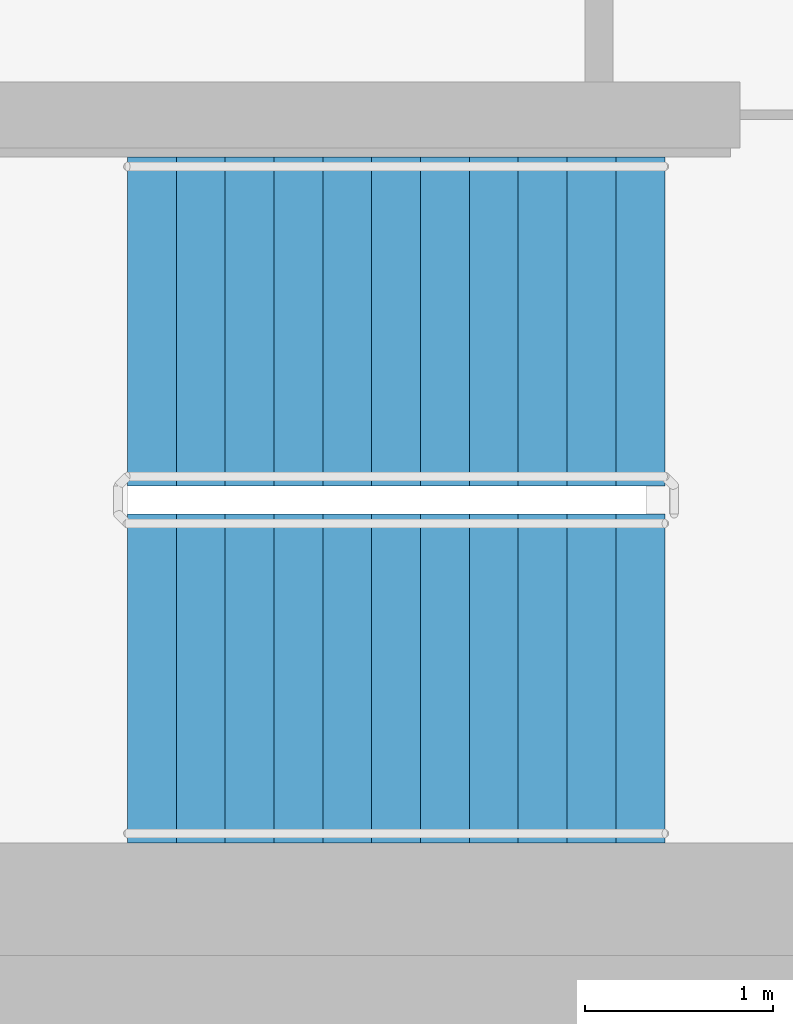
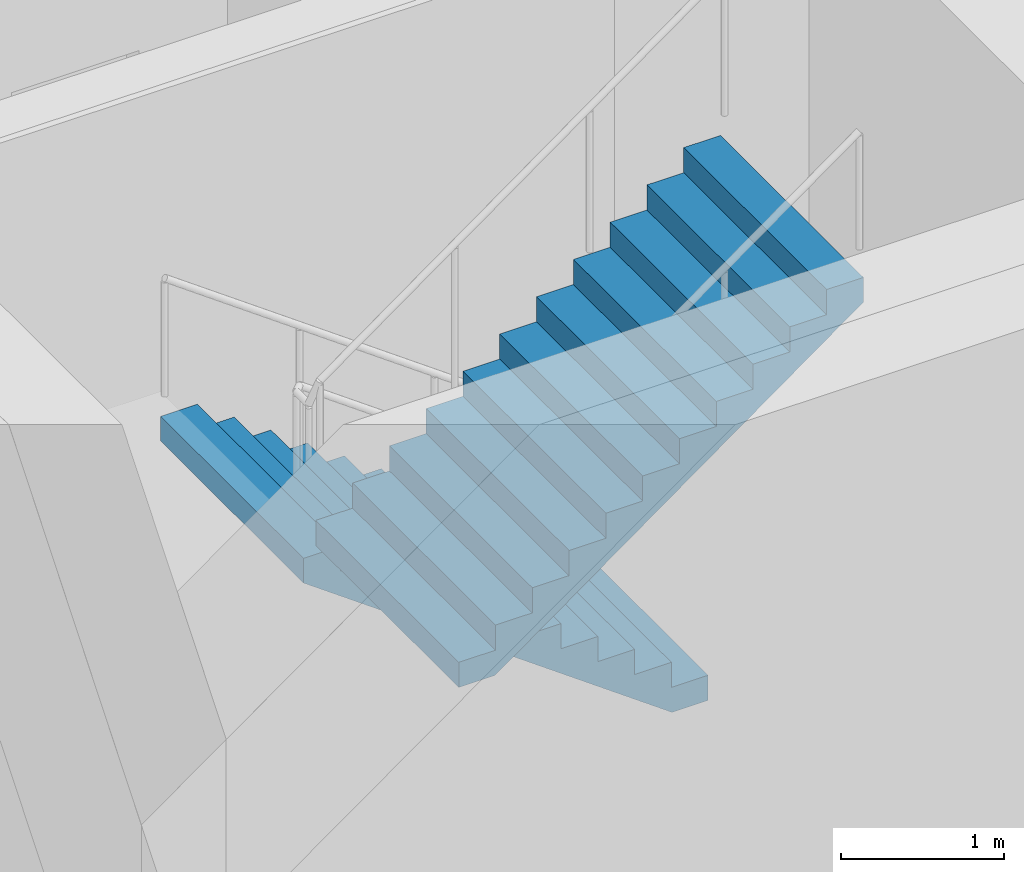
# One storey, part 7 of 11: 2 stair flights, 1 element without a shape of its own.
"""IFC4 building model written with IfcOpenShell, lengths in metres."""

from ifc_helpers import new_model, si_unit, direction, frame, origin, place, context, subcontext, project, spatial, faceted_brep, material, type_object, element, aggregate, save


model = new_model("IFC4")

# Units and contexts
model_context = context("Model", 3, precision=1e-05, world=origin(), true_north=direction((0.0, 1.0)))
body_context = subcontext(model_context, "Body", "Model", "MODEL_VIEW")
ifc_project = project(units=[si_unit("LENGTHUNIT", "METRE"), si_unit("AREAUNIT", "SQUARE_METRE"), si_unit("VOLUMEUNIT", "CUBIC_METRE"), si_unit("PLANEANGLEUNIT", "RADIAN"), si_unit("MASSUNIT", "GRAM", prefix="KILO")], contexts=[model_context])

# Site, building, storey
site_placement = place(None, origin())
site = spatial("IfcSite", under=ifc_project, at=site_placement, CompositionType="ELEMENT")
building_placement = place(site_placement, origin())
building = spatial("IfcBuilding", under=site, at=building_placement, Name="Ipe Terrace Towers", CompositionType="ELEMENT")
storey_placement = place(building_placement, frame((0.0, 0.0, 251.39990234375)))
storey = spatial("IfcBuildingStorey", under=building, at=storey_placement, Name="L69", CompositionType="ELEMENT", Elevation=251.39990234375)

# Stair, stair flights
ifc_material_1 = material(Name="Concrete C30/37", Category="concrete")
stair_type = type_object("IfcStairType", Name="Protected exit stair", PredefinedType="HALF_TURN_STAIR", material=ifc_material_1)
stair_placement = place(storey_placement, origin())
stair = element("IfcStair", 1, at=stair_placement, inside=storey, type_object=stair_type, Name="L69 Exit stair T1-C2", PredefinedType="HALF_TURN_STAIR")
ifc_material_2 = material(Name="Concrete C30/37", Category="concrete")
stair_flight_type = type_object("IfcStairFlightType", Name="Exit stair flight 1750", PredefinedType="STRAIGHT", material=ifc_material_2)
stair_flight_1_placement = place(storey_placement, frame((-45.699951171875, -2.77490234375, 0.0), z_axis=(0.0, 0.0, 1.0), x_axis=(-1.0, 0.0, 0.0)))
stair_flight_1 = element("IfcStairFlight", 2, at=stair_flight_1_placement, type_object=stair_flight_type, Name="T1-ST2 flight 1", NumberOfRisers=12, NumberOfTreads=11, PredefinedType="STRAIGHT", RiserHeight=0.1875, TreadLength=0.26, context=body_context, shape_type="Brep", body=[
    faceted_brep([(0.25634765625, -0.875, 0.0), (2.860107421875, -0.875, 1.877685546875), (2.860107421875, -0.875, 2.0625), (2.60009765625, -0.875, 2.0625), (2.60009765625, -0.875, 1.875), (2.340087890625, -0.875, 1.875), (2.340087890625, -0.875, 1.6875), (2.080078125, -0.875, 1.6875), (2.080078125, -0.875, 1.5), (1.820068359375, -0.875, 1.5), (1.820068359375, -0.875, 1.3125), (1.56005859375, -0.875, 1.3125), (1.56005859375, -0.875, 1.125), (1.300048828125, -0.875, 1.125), (1.300048828125, -0.875, 0.9375), (1.0400390625, -0.875, 0.9375), (1.0400390625, -0.875, 0.75), (0.780029296875, -0.875, 0.75), (0.780029296875, -0.875, 0.5625), (0.52001953125, -0.875, 0.5625), (0.52001953125, -0.875, 0.375), (0.260009765625, -0.875, 0.375), (0.260009765625, -0.875, 0.1875), (0.0, -0.875, 0.1875), (0.0, -0.875, 0.0), (0.0, 0.875, 0.0), (0.0, 0.875, 0.1875), (0.260009765625, 0.875, 0.1875), (0.260009765625, 0.875, 0.375), (0.52001953125, 0.875, 0.375), (0.52001953125, 0.875, 0.5625), (0.780029296875, 0.875, 0.5625), (0.780029296875, 0.875, 0.75), (1.0400390625, 0.875, 0.75), (1.0400390625, 0.875, 0.9375), (1.300048828125, 0.875, 0.9375), (1.300048828125, 0.875, 1.125), (1.56005859375, 0.875, 1.125), (1.56005859375, 0.875, 1.3125), (1.820068359375, 0.875, 1.3125), (1.820068359375, 0.875, 1.5), (2.080078125, 0.875, 1.5), (2.080078125, 0.875, 1.6875), (2.340087890625, 0.875, 1.6875), (2.340087890625, 0.875, 1.875), (2.60009765625, 0.875, 1.875), (2.60009765625, 0.875, 2.0625), (2.860107421875, 0.875, 2.0625), (2.860107421875, 0.875, 1.877685546875), (0.25634765625, 0.875, 0.0), (0.0, -0.300048828125, 0.1875), (0.0, -0.1201171875, 0.1875), (0.0, -0.06005859375, 0.1875), (0.0, -0.030029296875, 0.1875), (0.0, -0.010009765625, 0.1875), (0.0, 0.0, 0.1875), (0.0, 0.010009765625, 0.1875), (0.0, 0.030029296875, 0.1875), (0.0, 0.06005859375, 0.1875), (0.0, 0.1201171875, 0.1875), (0.0, 0.300048828125, 0.1875), (0.0, 0.300048828125, 0.0), (0.0, 0.1201171875, 0.0), (0.0, 0.06005859375, 0.0), (0.0, 0.030029296875, 0.0), (0.0, 0.010009765625, 0.0), (0.0, 0.0, 0.0), (0.0, -0.010009765625, 0.0), (0.0, -0.030029296875, 0.0), (0.0, -0.06005859375, 0.0), (0.0, -0.1201171875, 0.0), (0.0, -0.300048828125, 0.0), (0.260009765625, -0.300048828125, 0.1875), (0.260009765625, -0.1201171875, 0.1875), (0.260009765625, -0.06005859375, 0.1875), (0.260009765625, -0.030029296875, 0.1875), (0.260009765625, -0.010009765625, 0.1875), (0.260009765625, 0.0, 0.1875), (0.260009765625, 0.010009765625, 0.1875), (0.260009765625, 0.030029296875, 0.1875), (0.260009765625, 0.06005859375, 0.1875), (0.260009765625, 0.1201171875, 0.1875), (0.260009765625, 0.300048828125, 0.1875), (0.260009765625, -0.300048828125, 0.375), (0.260009765625, -0.1201171875, 0.375), (0.260009765625, -0.06005859375, 0.375), (0.260009765625, -0.030029296875, 0.375), (0.260009765625, -0.010009765625, 0.375), (0.260009765625, 0.0, 0.375), (0.260009765625, 0.010009765625, 0.375), (0.260009765625, 0.030029296875, 0.375), (0.260009765625, 0.06005859375, 0.375), (0.260009765625, 0.1201171875, 0.375), (0.260009765625, 0.300048828125, 0.375), (0.52001953125, -0.300048828125, 0.375), (0.52001953125, -0.1201171875, 0.375), (0.52001953125, -0.06005859375, 0.375), (0.52001953125, -0.030029296875, 0.375), (0.52001953125, -0.010009765625, 0.375), (0.52001953125, 0.0, 0.375), (0.52001953125, 0.010009765625, 0.375), (0.52001953125, 0.030029296875, 0.375), (0.52001953125, 0.06005859375, 0.375), (0.52001953125, 0.1201171875, 0.375), (0.52001953125, 0.300048828125, 0.375), (0.52001953125, -0.300048828125, 0.5625), (0.52001953125, -0.1201171875, 0.5625), (0.52001953125, -0.06005859375, 0.5625), (0.52001953125, -0.030029296875, 0.5625), (0.52001953125, -0.010009765625, 0.5625), (0.52001953125, 0.0, 0.5625), (0.52001953125, 0.010009765625, 0.5625), (0.52001953125, 0.030029296875, 0.5625), (0.52001953125, 0.06005859375, 0.5625), (0.52001953125, 0.1201171875, 0.5625), (0.52001953125, 0.300048828125, 0.5625), (0.780029296875, -0.300048828125, 0.5625), (0.780029296875, -0.1201171875, 0.5625), (0.780029296875, -0.06005859375, 0.5625), (0.780029296875, -0.030029296875, 0.5625), (0.780029296875, -0.010009765625, 0.5625), (0.780029296875, 0.0, 0.5625), (0.780029296875, 0.010009765625, 0.5625), (0.780029296875, 0.030029296875, 0.5625), (0.780029296875, 0.06005859375, 0.5625), (0.780029296875, 0.1201171875, 0.5625), (0.780029296875, 0.300048828125, 0.5625), (0.780029296875, -0.300048828125, 0.75), (0.780029296875, -0.1201171875, 0.75), (0.780029296875, -0.06005859375, 0.75), (0.780029296875, -0.030029296875, 0.75), (0.780029296875, -0.010009765625, 0.75), (0.780029296875, 0.0, 0.75), (0.780029296875, 0.010009765625, 0.75), (0.780029296875, 0.030029296875, 0.75), (0.780029296875, 0.06005859375, 0.75), (0.780029296875, 0.1201171875, 0.75), (0.780029296875, 0.300048828125, 0.75), (1.0400390625, -0.300048828125, 0.75), (1.0400390625, -0.1201171875, 0.75), (1.0400390625, -0.06005859375, 0.75), (1.0400390625, -0.030029296875, 0.75), (1.0400390625, -0.010009765625, 0.75), (1.0400390625, 0.0, 0.75), (1.0400390625, 0.010009765625, 0.75), (1.0400390625, 0.030029296875, 0.75), (1.0400390625, 0.06005859375, 0.75), (1.0400390625, 0.1201171875, 0.75), (1.0400390625, 0.300048828125, 0.75), (1.0400390625, -0.300048828125, 0.9375), (1.0400390625, -0.1201171875, 0.9375), (1.0400390625, -0.06005859375, 0.9375), (1.0400390625, -0.030029296875, 0.9375), (1.0400390625, -0.010009765625, 0.9375), (1.0400390625, 0.0, 0.9375), (1.0400390625, 0.010009765625, 0.9375), (1.0400390625, 0.030029296875, 0.9375), (1.0400390625, 0.06005859375, 0.9375), (1.0400390625, 0.1201171875, 0.9375), (1.0400390625, 0.300048828125, 0.9375), (1.300048828125, -0.300048828125, 0.9375), (1.300048828125, -0.1201171875, 0.9375), (1.300048828125, -0.06005859375, 0.9375), (1.300048828125, -0.030029296875, 0.9375), (1.300048828125, -0.010009765625, 0.9375), (1.300048828125, 0.0, 0.9375), (1.300048828125, 0.010009765625, 0.9375), (1.300048828125, 0.030029296875, 0.9375), (1.300048828125, 0.06005859375, 0.9375), (1.300048828125, 0.1201171875, 0.9375), (1.300048828125, 0.300048828125, 0.9375), (1.300048828125, -0.300048828125, 1.125), (1.300048828125, -0.1201171875, 1.125), (1.300048828125, -0.06005859375, 1.125), (1.300048828125, -0.030029296875, 1.125), (1.300048828125, -0.010009765625, 1.125), (1.300048828125, 0.0, 1.125), (1.300048828125, 0.010009765625, 1.125), (1.300048828125, 0.030029296875, 1.125), (1.300048828125, 0.06005859375, 1.125), (1.300048828125, 0.1201171875, 1.125), (1.300048828125, 0.300048828125, 1.125), (1.56005859375, -0.300048828125, 1.125), (1.56005859375, -0.1201171875, 1.125), (1.56005859375, -0.06005859375, 1.125), (1.56005859375, -0.030029296875, 1.125), (1.56005859375, -0.010009765625, 1.125), (1.56005859375, 0.0, 1.125), (1.56005859375, 0.010009765625, 1.125), (1.56005859375, 0.030029296875, 1.125), (1.56005859375, 0.06005859375, 1.125), (1.56005859375, 0.1201171875, 1.125), (1.56005859375, 0.300048828125, 1.125), (1.56005859375, -0.300048828125, 1.3125), (1.56005859375, -0.1201171875, 1.3125), (1.56005859375, -0.06005859375, 1.3125), (1.56005859375, -0.030029296875, 1.3125), (1.56005859375, -0.010009765625, 1.3125), (1.56005859375, 0.0, 1.3125), (1.56005859375, 0.010009765625, 1.3125), (1.56005859375, 0.030029296875, 1.3125), (1.56005859375, 0.06005859375, 1.3125), (1.56005859375, 0.1201171875, 1.3125), (1.56005859375, 0.300048828125, 1.3125), (1.820068359375, -0.300048828125, 1.3125), (1.820068359375, -0.1201171875, 1.3125), (1.820068359375, -0.06005859375, 1.3125), (1.820068359375, -0.030029296875, 1.3125), (1.820068359375, -0.010009765625, 1.3125), (1.820068359375, 0.0, 1.3125), (1.820068359375, 0.010009765625, 1.3125), (1.820068359375, 0.030029296875, 1.3125), (1.820068359375, 0.06005859375, 1.3125), (1.820068359375, 0.1201171875, 1.3125), (1.820068359375, 0.300048828125, 1.3125), (1.820068359375, -0.300048828125, 1.5), (1.820068359375, -0.1201171875, 1.5), (1.820068359375, -0.06005859375, 1.5), (1.820068359375, -0.030029296875, 1.5), (1.820068359375, -0.010009765625, 1.5), (1.820068359375, 0.0, 1.5), (1.820068359375, 0.010009765625, 1.5), (1.820068359375, 0.030029296875, 1.5), (1.820068359375, 0.06005859375, 1.5), (1.820068359375, 0.1201171875, 1.5), (1.820068359375, 0.300048828125, 1.5), (2.080078125, -0.300048828125, 1.5), (2.080078125, -0.1201171875, 1.5), (2.080078125, -0.06005859375, 1.5), (2.080078125, -0.030029296875, 1.5), (2.080078125, -0.010009765625, 1.5), (2.080078125, 0.0, 1.5), (2.080078125, 0.010009765625, 1.5), (2.080078125, 0.030029296875, 1.5), (2.080078125, 0.06005859375, 1.5), (2.080078125, 0.1201171875, 1.5), (2.080078125, 0.300048828125, 1.5), (2.080078125, -0.300048828125, 1.6875), (2.080078125, -0.1201171875, 1.6875), (2.080078125, -0.06005859375, 1.6875), (2.080078125, -0.030029296875, 1.6875), (2.080078125, -0.010009765625, 1.6875), (2.080078125, 0.0, 1.6875), (2.080078125, 0.010009765625, 1.6875), (2.080078125, 0.030029296875, 1.6875), (2.080078125, 0.06005859375, 1.6875), (2.080078125, 0.1201171875, 1.6875), (2.080078125, 0.300048828125, 1.6875), (2.340087890625, -0.300048828125, 1.6875), (2.340087890625, -0.1201171875, 1.6875), (2.340087890625, -0.06005859375, 1.6875), (2.340087890625, -0.030029296875, 1.6875), (2.340087890625, -0.010009765625, 1.6875), (2.340087890625, 0.0, 1.6875), (2.340087890625, 0.010009765625, 1.6875), (2.340087890625, 0.030029296875, 1.6875), (2.340087890625, 0.06005859375, 1.6875), (2.340087890625, 0.1201171875, 1.6875), (2.340087890625, 0.300048828125, 1.6875), (2.340087890625, -0.300048828125, 1.875), (2.340087890625, -0.1201171875, 1.875), (2.340087890625, -0.06005859375, 1.875), (2.340087890625, -0.030029296875, 1.875), (2.340087890625, -0.010009765625, 1.875), (2.340087890625, 0.0, 1.875), (2.340087890625, 0.010009765625, 1.875), (2.340087890625, 0.030029296875, 1.875), (2.340087890625, 0.06005859375, 1.875), (2.340087890625, 0.1201171875, 1.875), (2.340087890625, 0.300048828125, 1.875), (2.60009765625, -0.300048828125, 1.875), (2.60009765625, -0.1201171875, 1.875), (2.60009765625, -0.06005859375, 1.875), (2.60009765625, -0.030029296875, 1.875), (2.60009765625, -0.010009765625, 1.875), (2.60009765625, 0.0, 1.875), (2.60009765625, 0.010009765625, 1.875), (2.60009765625, 0.030029296875, 1.875), (2.60009765625, 0.06005859375, 1.875), (2.60009765625, 0.1201171875, 1.875), (2.60009765625, 0.300048828125, 1.875), (2.60009765625, -0.300048828125, 2.0625), (2.60009765625, -0.1201171875, 2.0625), (2.60009765625, -0.06005859375, 2.0625), (2.60009765625, -0.030029296875, 2.0625), (2.60009765625, -0.010009765625, 2.0625), (2.60009765625, 0.0, 2.0625), (2.60009765625, 0.010009765625, 2.0625), (2.60009765625, 0.030029296875, 2.0625), (2.60009765625, 0.06005859375, 2.0625), (2.60009765625, 0.1201171875, 2.0625), (2.60009765625, 0.300048828125, 2.0625), (2.860107421875, -0.300048828125, 2.0625), (2.860107421875, -0.1201171875, 2.0625), (2.860107421875, -0.06005859375, 2.0625), (2.860107421875, -0.030029296875, 2.0625), (2.860107421875, -0.010009765625, 2.0625), (2.860107421875, 0.0, 2.0625), (2.860107421875, 0.010009765625, 2.0625), (2.860107421875, 0.030029296875, 2.0625), (2.860107421875, 0.06005859375, 2.0625), (2.860107421875, 0.1201171875, 2.0625), (2.860107421875, 0.300048828125, 2.0625), (2.860107421875, -0.300048828125, 1.877685546875), (2.860107421875, -0.1201171875, 1.877685546875), (2.860107421875, -0.06005859375, 1.877685546875), (2.860107421875, -0.030029296875, 1.877685546875), (2.860107421875, -0.010009765625, 1.877685546875), (2.860107421875, 0.0, 1.877685546875), (2.860107421875, 0.010009765625, 1.877685546875), (2.860107421875, 0.030029296875, 1.877685546875), (2.860107421875, 0.06005859375, 1.877685546875), (2.860107421875, 0.1201171875, 1.877685546875), (2.860107421875, 0.300048828125, 1.877685546875), (0.25634765625, -0.300048828125, 0.0), (0.25634765625, -0.1201171875, 0.0), (0.25634765625, -0.06005859375, 0.0), (0.25634765625, -0.030029296875, 0.0), (0.25634765625, -0.010009765625, 0.0), (0.25634765625, 0.0, 0.0), (0.25634765625, 0.010009765625, 0.0), (0.25634765625, 0.030029296875, 0.0), (0.25634765625, 0.06005859375, 0.0), (0.25634765625, 0.1201171875, 0.0), (0.25634765625, 0.300048828125, 0.0)], [[[0, 1, 2, 3, 4, 5, 6, 7, 8, 9, 10, 11, 12, 13, 14, 15, 16, 17, 18, 19, 20, 21, 22, 23, 24]], [[25, 26, 27, 28, 29, 30, 31, 32, 33, 34, 35, 36, 37, 38, 39, 40, 41, 42, 43, 44, 45, 46, 47, 48, 49]], [[23, 50, 51, 52, 53, 54, 55, 56, 57, 58, 59, 60, 26, 25, 61, 62, 63, 64, 65, 66, 67, 68, 69, 70, 71, 24]], [[22, 72, 73, 74, 75, 76, 77, 78, 79, 80, 81, 82, 27, 26, 60, 59, 58, 57, 56, 55, 54, 53, 52, 51, 50, 23]], [[21, 83, 84, 85, 86, 87, 88, 89, 90, 91, 92, 93, 28, 27, 82, 81, 80, 79, 78, 77, 76, 75, 74, 73, 72, 22]], [[20, 94, 95, 96, 97, 98, 99, 100, 101, 102, 103, 104, 29, 28, 93, 92, 91, 90, 89, 88, 87, 86, 85, 84, 83, 21]], [[19, 105, 106, 107, 108, 109, 110, 111, 112, 113, 114, 115, 30, 29, 104, 103, 102, 101, 100, 99, 98, 97, 96, 95, 94, 20]], [[18, 116, 117, 118, 119, 120, 121, 122, 123, 124, 125, 126, 31, 30, 115, 114, 113, 112, 111, 110, 109, 108, 107, 106, 105, 19]], [[17, 127, 128, 129, 130, 131, 132, 133, 134, 135, 136, 137, 32, 31, 126, 125, 124, 123, 122, 121, 120, 119, 118, 117, 116, 18]], [[16, 138, 139, 140, 141, 142, 143, 144, 145, 146, 147, 148, 33, 32, 137, 136, 135, 134, 133, 132, 131, 130, 129, 128, 127, 17]], [[15, 149, 150, 151, 152, 153, 154, 155, 156, 157, 158, 159, 34, 33, 148, 147, 146, 145, 144, 143, 142, 141, 140, 139, 138, 16]], [[14, 160, 161, 162, 163, 164, 165, 166, 167, 168, 169, 170, 35, 34, 159, 158, 157, 156, 155, 154, 153, 152, 151, 150, 149, 15]], [[13, 171, 172, 173, 174, 175, 176, 177, 178, 179, 180, 181, 36, 35, 170, 169, 168, 167, 166, 165, 164, 163, 162, 161, 160, 14]], [[12, 182, 183, 184, 185, 186, 187, 188, 189, 190, 191, 192, 37, 36, 181, 180, 179, 178, 177, 176, 175, 174, 173, 172, 171, 13]], [[11, 193, 194, 195, 196, 197, 198, 199, 200, 201, 202, 203, 38, 37, 192, 191, 190, 189, 188, 187, 186, 185, 184, 183, 182, 12]], [[10, 204, 205, 206, 207, 208, 209, 210, 211, 212, 213, 214, 39, 38, 203, 202, 201, 200, 199, 198, 197, 196, 195, 194, 193, 11]], [[9, 215, 216, 217, 218, 219, 220, 221, 222, 223, 224, 225, 40, 39, 214, 213, 212, 211, 210, 209, 208, 207, 206, 205, 204, 10]], [[8, 226, 227, 228, 229, 230, 231, 232, 233, 234, 235, 236, 41, 40, 225, 224, 223, 222, 221, 220, 219, 218, 217, 216, 215, 9]], [[7, 237, 238, 239, 240, 241, 242, 243, 244, 245, 246, 247, 42, 41, 236, 235, 234, 233, 232, 231, 230, 229, 228, 227, 226, 8]], [[6, 248, 249, 250, 251, 252, 253, 254, 255, 256, 257, 258, 43, 42, 247, 246, 245, 244, 243, 242, 241, 240, 239, 238, 237, 7]], [[5, 259, 260, 261, 262, 263, 264, 265, 266, 267, 268, 269, 44, 43, 258, 257, 256, 255, 254, 253, 252, 251, 250, 249, 248, 6]], [[4, 270, 271, 272, 273, 274, 275, 276, 277, 278, 279, 280, 45, 44, 269, 268, 267, 266, 265, 264, 263, 262, 261, 260, 259, 5]], [[3, 281, 282, 283, 284, 285, 286, 287, 288, 289, 290, 291, 46, 45, 280, 279, 278, 277, 276, 275, 274, 273, 272, 271, 270, 4]], [[2, 292, 293, 294, 295, 296, 297, 298, 299, 300, 301, 302, 47, 46, 291, 290, 289, 288, 287, 286, 285, 284, 283, 282, 281, 3]], [[1, 303, 304, 305, 306, 307, 308, 309, 310, 311, 312, 313, 48, 47, 302, 301, 300, 299, 298, 297, 296, 295, 294, 293, 292, 2]], [[0, 314, 315, 316, 317, 318, 319, 320, 321, 322, 323, 324, 49, 48, 313, 312, 311, 310, 309, 308, 307, 306, 305, 304, 303, 1]], [[24, 71, 70, 69, 68, 67, 66, 65, 64, 63, 62, 61, 25, 49, 324, 323, 322, 321, 320, 319, 318, 317, 316, 315, 314, 0]]]),
])
stair_flight_2_placement = place(storey_placement, frame((-48.56005859375, -4.675048828125, 2.25), z_axis=(0.0, 0.0, 1.0), x_axis=(1.0, 0.0, 0.0)))
stair_flight_2 = element("IfcStairFlight", 3, at=stair_flight_2_placement, type_object=stair_flight_type, Name="T1-ST2 flight 2", NumberOfRisers=12, NumberOfTreads=11, PredefinedType="STRAIGHT", RiserHeight=0.1875, TreadLength=0.26, context=body_context, shape_type="Brep", body=[
    faceted_brep([(0.25634765625, -0.875, 0.0), (2.860107421875, -0.875, 1.877685546875), (2.860107421875, -0.875, 2.0625), (2.60009765625, -0.875, 2.0625), (2.60009765625, -0.875, 1.875), (2.340087890625, -0.875, 1.875), (2.340087890625, -0.875, 1.6875), (2.080078125, -0.875, 1.6875), (2.080078125, -0.875, 1.5), (1.820068359375, -0.875, 1.5), (1.820068359375, -0.875, 1.3125), (1.56005859375, -0.875, 1.3125), (1.56005859375, -0.875, 1.125), (1.300048828125, -0.875, 1.125), (1.300048828125, -0.875, 0.9375), (1.0400390625, -0.875, 0.9375), (1.0400390625, -0.875, 0.75), (0.780029296875, -0.875, 0.75), (0.780029296875, -0.875, 0.5625), (0.52001953125, -0.875, 0.5625), (0.52001953125, -0.875, 0.375), (0.260009765625, -0.875, 0.375), (0.260009765625, -0.875, 0.1875), (0.0, -0.875, 0.1875), (0.0, -0.875, 0.0), (0.0, 0.875, 0.0), (0.0, 0.875, 0.1875), (0.260009765625, 0.875, 0.1875), (0.260009765625, 0.875, 0.375), (0.52001953125, 0.875, 0.375), (0.52001953125, 0.875, 0.5625), (0.780029296875, 0.875, 0.5625), (0.780029296875, 0.875, 0.75), (1.0400390625, 0.875, 0.75), (1.0400390625, 0.875, 0.9375), (1.300048828125, 0.875, 0.9375), (1.300048828125, 0.875, 1.125), (1.56005859375, 0.875, 1.125), (1.56005859375, 0.875, 1.3125), (1.820068359375, 0.875, 1.3125), (1.820068359375, 0.875, 1.5), (2.080078125, 0.875, 1.5), (2.080078125, 0.875, 1.6875), (2.340087890625, 0.875, 1.6875), (2.340087890625, 0.875, 1.875), (2.60009765625, 0.875, 1.875), (2.60009765625, 0.875, 2.0625), (2.860107421875, 0.875, 2.0625), (2.860107421875, 0.875, 1.877685546875), (0.25634765625, 0.875, 0.0), (0.0, -0.300048828125, 0.1875), (0.0, -0.1201171875, 0.1875), (0.0, -0.06005859375, 0.1875), (0.0, -0.030029296875, 0.1875), (0.0, -0.010009765625, 0.1875), (0.0, 0.0, 0.1875), (0.0, 0.010009765625, 0.1875), (0.0, 0.030029296875, 0.1875), (0.0, 0.06005859375, 0.1875), (0.0, 0.1201171875, 0.1875), (0.0, 0.300048828125, 0.1875), (0.0, 0.300048828125, 0.0), (0.0, 0.1201171875, 0.0), (0.0, 0.06005859375, 0.0), (0.0, 0.030029296875, 0.0), (0.0, 0.010009765625, 0.0), (0.0, 0.0, 0.0), (0.0, -0.010009765625, 0.0), (0.0, -0.030029296875, 0.0), (0.0, -0.06005859375, 0.0), (0.0, -0.1201171875, 0.0), (0.0, -0.300048828125, 0.0), (0.260009765625, -0.300048828125, 0.1875), (0.260009765625, -0.1201171875, 0.1875), (0.260009765625, -0.06005859375, 0.1875), (0.260009765625, -0.030029296875, 0.1875), (0.260009765625, -0.010009765625, 0.1875), (0.260009765625, 0.0, 0.1875), (0.260009765625, 0.010009765625, 0.1875), (0.260009765625, 0.030029296875, 0.1875), (0.260009765625, 0.06005859375, 0.1875), (0.260009765625, 0.1201171875, 0.1875), (0.260009765625, 0.300048828125, 0.1875), (0.260009765625, -0.300048828125, 0.375), (0.260009765625, -0.1201171875, 0.375), (0.260009765625, -0.06005859375, 0.375), (0.260009765625, -0.030029296875, 0.375), (0.260009765625, -0.010009765625, 0.375), (0.260009765625, 0.0, 0.375), (0.260009765625, 0.010009765625, 0.375), (0.260009765625, 0.030029296875, 0.375), (0.260009765625, 0.06005859375, 0.375), (0.260009765625, 0.1201171875, 0.375), (0.260009765625, 0.300048828125, 0.375), (0.52001953125, -0.300048828125, 0.375), (0.52001953125, -0.1201171875, 0.375), (0.52001953125, -0.06005859375, 0.375), (0.52001953125, -0.030029296875, 0.375), (0.52001953125, -0.010009765625, 0.375), (0.52001953125, 0.0, 0.375), (0.52001953125, 0.010009765625, 0.375), (0.52001953125, 0.030029296875, 0.375), (0.52001953125, 0.06005859375, 0.375), (0.52001953125, 0.1201171875, 0.375), (0.52001953125, 0.300048828125, 0.375), (0.52001953125, -0.300048828125, 0.5625), (0.52001953125, -0.1201171875, 0.5625), (0.52001953125, -0.06005859375, 0.5625), (0.52001953125, -0.030029296875, 0.5625), (0.52001953125, -0.010009765625, 0.5625), (0.52001953125, 0.0, 0.5625), (0.52001953125, 0.010009765625, 0.5625), (0.52001953125, 0.030029296875, 0.5625), (0.52001953125, 0.06005859375, 0.5625), (0.52001953125, 0.1201171875, 0.5625), (0.52001953125, 0.300048828125, 0.5625), (0.780029296875, -0.300048828125, 0.5625), (0.780029296875, -0.1201171875, 0.5625), (0.780029296875, -0.06005859375, 0.5625), (0.780029296875, -0.030029296875, 0.5625), (0.780029296875, -0.010009765625, 0.5625), (0.780029296875, 0.0, 0.5625), (0.780029296875, 0.010009765625, 0.5625), (0.780029296875, 0.030029296875, 0.5625), (0.780029296875, 0.06005859375, 0.5625), (0.780029296875, 0.1201171875, 0.5625), (0.780029296875, 0.300048828125, 0.5625), (0.780029296875, -0.300048828125, 0.75), (0.780029296875, -0.1201171875, 0.75), (0.780029296875, -0.06005859375, 0.75), (0.780029296875, -0.030029296875, 0.75), (0.780029296875, -0.010009765625, 0.75), (0.780029296875, 0.0, 0.75), (0.780029296875, 0.010009765625, 0.75), (0.780029296875, 0.030029296875, 0.75), (0.780029296875, 0.06005859375, 0.75), (0.780029296875, 0.1201171875, 0.75), (0.780029296875, 0.300048828125, 0.75), (1.0400390625, -0.300048828125, 0.75), (1.0400390625, -0.1201171875, 0.75), (1.0400390625, -0.06005859375, 0.75), (1.0400390625, -0.030029296875, 0.75), (1.0400390625, -0.010009765625, 0.75), (1.0400390625, 0.0, 0.75), (1.0400390625, 0.010009765625, 0.75), (1.0400390625, 0.030029296875, 0.75), (1.0400390625, 0.06005859375, 0.75), (1.0400390625, 0.1201171875, 0.75), (1.0400390625, 0.300048828125, 0.75), (1.0400390625, -0.300048828125, 0.9375), (1.0400390625, -0.1201171875, 0.9375), (1.0400390625, -0.06005859375, 0.9375), (1.0400390625, -0.030029296875, 0.9375), (1.0400390625, -0.010009765625, 0.9375), (1.0400390625, 0.0, 0.9375), (1.0400390625, 0.010009765625, 0.9375), (1.0400390625, 0.030029296875, 0.9375), (1.0400390625, 0.06005859375, 0.9375), (1.0400390625, 0.1201171875, 0.9375), (1.0400390625, 0.300048828125, 0.9375), (1.300048828125, -0.300048828125, 0.9375), (1.300048828125, -0.1201171875, 0.9375), (1.300048828125, -0.06005859375, 0.9375), (1.300048828125, -0.030029296875, 0.9375), (1.300048828125, -0.010009765625, 0.9375), (1.300048828125, 0.0, 0.9375), (1.300048828125, 0.010009765625, 0.9375), (1.300048828125, 0.030029296875, 0.9375), (1.300048828125, 0.06005859375, 0.9375), (1.300048828125, 0.1201171875, 0.9375), (1.300048828125, 0.300048828125, 0.9375), (1.300048828125, -0.300048828125, 1.125), (1.300048828125, -0.1201171875, 1.125), (1.300048828125, -0.06005859375, 1.125), (1.300048828125, -0.030029296875, 1.125), (1.300048828125, -0.010009765625, 1.125), (1.300048828125, 0.0, 1.125), (1.300048828125, 0.010009765625, 1.125), (1.300048828125, 0.030029296875, 1.125), (1.300048828125, 0.06005859375, 1.125), (1.300048828125, 0.1201171875, 1.125), (1.300048828125, 0.300048828125, 1.125), (1.56005859375, -0.300048828125, 1.125), (1.56005859375, -0.1201171875, 1.125), (1.56005859375, -0.06005859375, 1.125), (1.56005859375, -0.030029296875, 1.125), (1.56005859375, -0.010009765625, 1.125), (1.56005859375, 0.0, 1.125), (1.56005859375, 0.010009765625, 1.125), (1.56005859375, 0.030029296875, 1.125), (1.56005859375, 0.06005859375, 1.125), (1.56005859375, 0.1201171875, 1.125), (1.56005859375, 0.300048828125, 1.125), (1.56005859375, -0.300048828125, 1.3125), (1.56005859375, -0.1201171875, 1.3125), (1.56005859375, -0.06005859375, 1.3125), (1.56005859375, -0.030029296875, 1.3125), (1.56005859375, -0.010009765625, 1.3125), (1.56005859375, 0.0, 1.3125), (1.56005859375, 0.010009765625, 1.3125), (1.56005859375, 0.030029296875, 1.3125), (1.56005859375, 0.06005859375, 1.3125), (1.56005859375, 0.1201171875, 1.3125), (1.56005859375, 0.300048828125, 1.3125), (1.820068359375, -0.300048828125, 1.3125), (1.820068359375, -0.1201171875, 1.3125), (1.820068359375, -0.06005859375, 1.3125), (1.820068359375, -0.030029296875, 1.3125), (1.820068359375, -0.010009765625, 1.3125), (1.820068359375, 0.0, 1.3125), (1.820068359375, 0.010009765625, 1.3125), (1.820068359375, 0.030029296875, 1.3125), (1.820068359375, 0.06005859375, 1.3125), (1.820068359375, 0.1201171875, 1.3125), (1.820068359375, 0.300048828125, 1.3125), (1.820068359375, -0.300048828125, 1.5), (1.820068359375, -0.1201171875, 1.5), (1.820068359375, -0.06005859375, 1.5), (1.820068359375, -0.030029296875, 1.5), (1.820068359375, -0.010009765625, 1.5), (1.820068359375, 0.0, 1.5), (1.820068359375, 0.010009765625, 1.5), (1.820068359375, 0.030029296875, 1.5), (1.820068359375, 0.06005859375, 1.5), (1.820068359375, 0.1201171875, 1.5), (1.820068359375, 0.300048828125, 1.5), (2.080078125, -0.300048828125, 1.5), (2.080078125, -0.1201171875, 1.5), (2.080078125, -0.06005859375, 1.5), (2.080078125, -0.030029296875, 1.5), (2.080078125, -0.010009765625, 1.5), (2.080078125, 0.0, 1.5), (2.080078125, 0.010009765625, 1.5), (2.080078125, 0.030029296875, 1.5), (2.080078125, 0.06005859375, 1.5), (2.080078125, 0.1201171875, 1.5), (2.080078125, 0.300048828125, 1.5), (2.080078125, -0.300048828125, 1.6875), (2.080078125, -0.1201171875, 1.6875), (2.080078125, -0.06005859375, 1.6875), (2.080078125, -0.030029296875, 1.6875), (2.080078125, -0.010009765625, 1.6875), (2.080078125, 0.0, 1.6875), (2.080078125, 0.010009765625, 1.6875), (2.080078125, 0.030029296875, 1.6875), (2.080078125, 0.06005859375, 1.6875), (2.080078125, 0.1201171875, 1.6875), (2.080078125, 0.300048828125, 1.6875), (2.340087890625, -0.300048828125, 1.6875), (2.340087890625, -0.1201171875, 1.6875), (2.340087890625, -0.06005859375, 1.6875), (2.340087890625, -0.030029296875, 1.6875), (2.340087890625, -0.010009765625, 1.6875), (2.340087890625, 0.0, 1.6875), (2.340087890625, 0.010009765625, 1.6875), (2.340087890625, 0.030029296875, 1.6875), (2.340087890625, 0.06005859375, 1.6875), (2.340087890625, 0.1201171875, 1.6875), (2.340087890625, 0.300048828125, 1.6875), (2.340087890625, -0.300048828125, 1.875), (2.340087890625, -0.1201171875, 1.875), (2.340087890625, -0.06005859375, 1.875), (2.340087890625, -0.030029296875, 1.875), (2.340087890625, -0.010009765625, 1.875), (2.340087890625, 0.0, 1.875), (2.340087890625, 0.010009765625, 1.875), (2.340087890625, 0.030029296875, 1.875), (2.340087890625, 0.06005859375, 1.875), (2.340087890625, 0.1201171875, 1.875), (2.340087890625, 0.300048828125, 1.875), (2.60009765625, -0.300048828125, 1.875), (2.60009765625, -0.1201171875, 1.875), (2.60009765625, -0.06005859375, 1.875), (2.60009765625, -0.030029296875, 1.875), (2.60009765625, -0.010009765625, 1.875), (2.60009765625, 0.0, 1.875), (2.60009765625, 0.010009765625, 1.875), (2.60009765625, 0.030029296875, 1.875), (2.60009765625, 0.06005859375, 1.875), (2.60009765625, 0.1201171875, 1.875), (2.60009765625, 0.300048828125, 1.875), (2.60009765625, -0.300048828125, 2.0625), (2.60009765625, -0.1201171875, 2.0625), (2.60009765625, -0.06005859375, 2.0625), (2.60009765625, -0.030029296875, 2.0625), (2.60009765625, -0.010009765625, 2.0625), (2.60009765625, 0.0, 2.0625), (2.60009765625, 0.010009765625, 2.0625), (2.60009765625, 0.030029296875, 2.0625), (2.60009765625, 0.06005859375, 2.0625), (2.60009765625, 0.1201171875, 2.0625), (2.60009765625, 0.300048828125, 2.0625), (2.860107421875, -0.300048828125, 2.0625), (2.860107421875, -0.1201171875, 2.0625), (2.860107421875, -0.06005859375, 2.0625), (2.860107421875, -0.030029296875, 2.0625), (2.860107421875, -0.010009765625, 2.0625), (2.860107421875, 0.0, 2.0625), (2.860107421875, 0.010009765625, 2.0625), (2.860107421875, 0.030029296875, 2.0625), (2.860107421875, 0.06005859375, 2.0625), (2.860107421875, 0.1201171875, 2.0625), (2.860107421875, 0.300048828125, 2.0625), (2.860107421875, -0.300048828125, 1.877685546875), (2.860107421875, -0.1201171875, 1.877685546875), (2.860107421875, -0.06005859375, 1.877685546875), (2.860107421875, -0.030029296875, 1.877685546875), (2.860107421875, -0.010009765625, 1.877685546875), (2.860107421875, 0.0, 1.877685546875), (2.860107421875, 0.010009765625, 1.877685546875), (2.860107421875, 0.030029296875, 1.877685546875), (2.860107421875, 0.06005859375, 1.877685546875), (2.860107421875, 0.1201171875, 1.877685546875), (2.860107421875, 0.300048828125, 1.877685546875), (0.25634765625, -0.300048828125, 0.0), (0.25634765625, -0.1201171875, 0.0), (0.25634765625, -0.06005859375, 0.0), (0.25634765625, -0.030029296875, 0.0), (0.25634765625, -0.010009765625, 0.0), (0.25634765625, 0.0, 0.0), (0.25634765625, 0.010009765625, 0.0), (0.25634765625, 0.030029296875, 0.0), (0.25634765625, 0.06005859375, 0.0), (0.25634765625, 0.1201171875, 0.0), (0.25634765625, 0.300048828125, 0.0)], [[[0, 1, 2, 3, 4, 5, 6, 7, 8, 9, 10, 11, 12, 13, 14, 15, 16, 17, 18, 19, 20, 21, 22, 23, 24]], [[25, 26, 27, 28, 29, 30, 31, 32, 33, 34, 35, 36, 37, 38, 39, 40, 41, 42, 43, 44, 45, 46, 47, 48, 49]], [[23, 50, 51, 52, 53, 54, 55, 56, 57, 58, 59, 60, 26, 25, 61, 62, 63, 64, 65, 66, 67, 68, 69, 70, 71, 24]], [[22, 72, 73, 74, 75, 76, 77, 78, 79, 80, 81, 82, 27, 26, 60, 59, 58, 57, 56, 55, 54, 53, 52, 51, 50, 23]], [[21, 83, 84, 85, 86, 87, 88, 89, 90, 91, 92, 93, 28, 27, 82, 81, 80, 79, 78, 77, 76, 75, 74, 73, 72, 22]], [[20, 94, 95, 96, 97, 98, 99, 100, 101, 102, 103, 104, 29, 28, 93, 92, 91, 90, 89, 88, 87, 86, 85, 84, 83, 21]], [[19, 105, 106, 107, 108, 109, 110, 111, 112, 113, 114, 115, 30, 29, 104, 103, 102, 101, 100, 99, 98, 97, 96, 95, 94, 20]], [[18, 116, 117, 118, 119, 120, 121, 122, 123, 124, 125, 126, 31, 30, 115, 114, 113, 112, 111, 110, 109, 108, 107, 106, 105, 19]], [[17, 127, 128, 129, 130, 131, 132, 133, 134, 135, 136, 137, 32, 31, 126, 125, 124, 123, 122, 121, 120, 119, 118, 117, 116, 18]], [[16, 138, 139, 140, 141, 142, 143, 144, 145, 146, 147, 148, 33, 32, 137, 136, 135, 134, 133, 132, 131, 130, 129, 128, 127, 17]], [[15, 149, 150, 151, 152, 153, 154, 155, 156, 157, 158, 159, 34, 33, 148, 147, 146, 145, 144, 143, 142, 141, 140, 139, 138, 16]], [[14, 160, 161, 162, 163, 164, 165, 166, 167, 168, 169, 170, 35, 34, 159, 158, 157, 156, 155, 154, 153, 152, 151, 150, 149, 15]], [[13, 171, 172, 173, 174, 175, 176, 177, 178, 179, 180, 181, 36, 35, 170, 169, 168, 167, 166, 165, 164, 163, 162, 161, 160, 14]], [[12, 182, 183, 184, 185, 186, 187, 188, 189, 190, 191, 192, 37, 36, 181, 180, 179, 178, 177, 176, 175, 174, 173, 172, 171, 13]], [[11, 193, 194, 195, 196, 197, 198, 199, 200, 201, 202, 203, 38, 37, 192, 191, 190, 189, 188, 187, 186, 185, 184, 183, 182, 12]], [[10, 204, 205, 206, 207, 208, 209, 210, 211, 212, 213, 214, 39, 38, 203, 202, 201, 200, 199, 198, 197, 196, 195, 194, 193, 11]], [[9, 215, 216, 217, 218, 219, 220, 221, 222, 223, 224, 225, 40, 39, 214, 213, 212, 211, 210, 209, 208, 207, 206, 205, 204, 10]], [[8, 226, 227, 228, 229, 230, 231, 232, 233, 234, 235, 236, 41, 40, 225, 224, 223, 222, 221, 220, 219, 218, 217, 216, 215, 9]], [[7, 237, 238, 239, 240, 241, 242, 243, 244, 245, 246, 247, 42, 41, 236, 235, 234, 233, 232, 231, 230, 229, 228, 227, 226, 8]], [[6, 248, 249, 250, 251, 252, 253, 254, 255, 256, 257, 258, 43, 42, 247, 246, 245, 244, 243, 242, 241, 240, 239, 238, 237, 7]], [[5, 259, 260, 261, 262, 263, 264, 265, 266, 267, 268, 269, 44, 43, 258, 257, 256, 255, 254, 253, 252, 251, 250, 249, 248, 6]], [[4, 270, 271, 272, 273, 274, 275, 276, 277, 278, 279, 280, 45, 44, 269, 268, 267, 266, 265, 264, 263, 262, 261, 260, 259, 5]], [[3, 281, 282, 283, 284, 285, 286, 287, 288, 289, 290, 291, 46, 45, 280, 279, 278, 277, 276, 275, 274, 273, 272, 271, 270, 4]], [[2, 292, 293, 294, 295, 296, 297, 298, 299, 300, 301, 302, 47, 46, 291, 290, 289, 288, 287, 286, 285, 284, 283, 282, 281, 3]], [[1, 303, 304, 305, 306, 307, 308, 309, 310, 311, 312, 313, 48, 47, 302, 301, 300, 299, 298, 297, 296, 295, 294, 293, 292, 2]], [[0, 314, 315, 316, 317, 318, 319, 320, 321, 322, 323, 324, 49, 48, 313, 312, 311, 310, 309, 308, 307, 306, 305, 304, 303, 1]], [[24, 71, 70, 69, 68, 67, 66, 65, 64, 63, 62, 61, 25, 49, 324, 323, 322, 321, 320, 319, 318, 317, 316, 315, 314, 0]]]),
])
aggregate(stair, [stair_flight_1, stair_flight_2])

save(model, "model.ifc")
